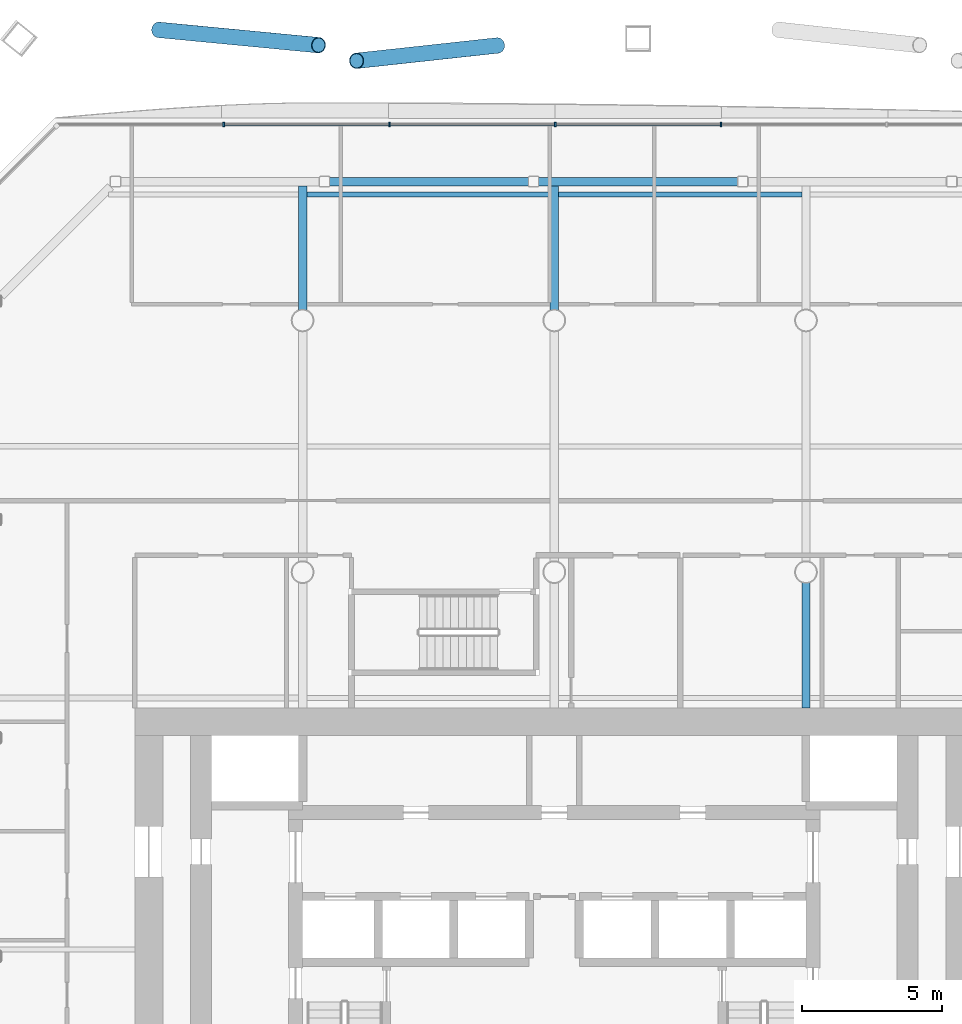
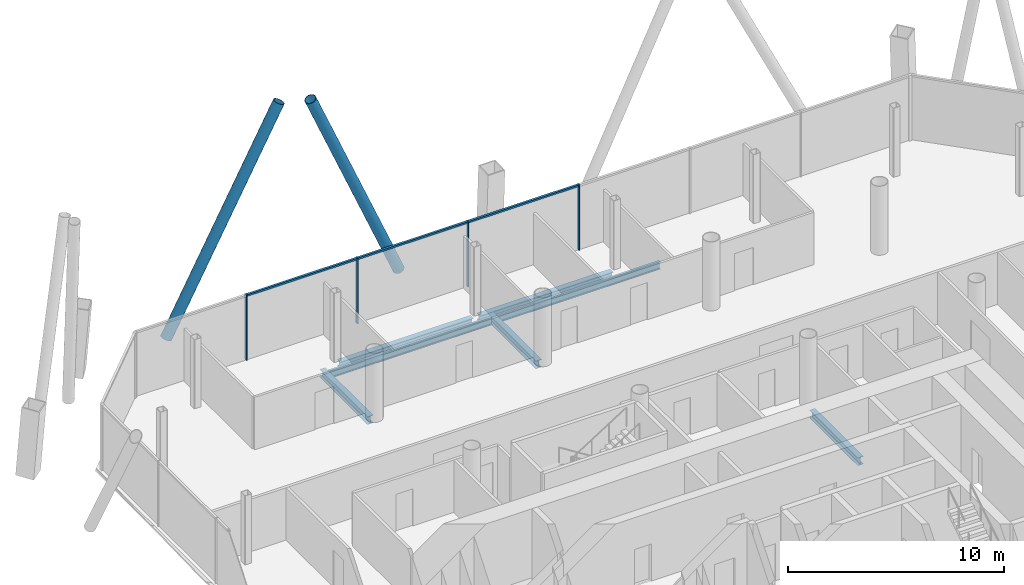
# One storey, part 10 of 22: 9 members, 7 beams, 1 element without a shape of its own.
"""IFC4 building model written with IfcOpenShell, lengths in metres."""

import ifcopenshell
import ifcopenshell.guid

model = None  # the IFC model being written
_history = None  # IfcOwnerHistory: only IFC2X3 demands one
_inside = {}  # id of a spatial element -> (the spatial element, [elements in it])
_under = {}  # id of a project, library or spatial element -> (it, [spatial elements below it])
_declared = {}  # id of a project -> (the project, [libraries it declares])
_typed = {}  # id of a type object -> (the type object, [elements of that type])
_made_of = {}  # id of a material, layer set ... -> (it, [elements and type objects made of it])


def new_model(schema):
    """Start an empty IFC model of exactly this schema.

    Asked for "IFC4X3", IfcOpenShell would pick the latest addendum, in which some entities
    have other attributes; the version numbers below select the first issue.
    IFC2X3 requires an IfcOwnerHistory on every rooted entity: one is made here for all.
    """
    global model, _history
    if schema == "IFC4X3":
        model = ifcopenshell.file(schema_version=(4, 3, 0, 0))
    else:
        model = ifcopenshell.file(schema=schema)
    _inside.clear()
    _under.clear()
    _declared.clear()
    _typed.clear()
    _made_of.clear()
    _history = None
    if model.schema == "IFC2X3":
        org = make("IfcOrganization", Name="unknown")
        user = make(
            "IfcPersonAndOrganization",
            ThePerson=make("IfcPerson", FamilyName="unknown"),
            TheOrganization=org,
        )
        app = make(
            "IfcApplication",
            ApplicationDeveloper=org,
            Version="unknown",
            ApplicationFullName="unknown",
            ApplicationIdentifier="unknown",
        )
        _history = make(
            "IfcOwnerHistory",
            OwningUser=user,
            OwningApplication=app,
            ChangeAction="ADDED",
            CreationDate=0,
        )
    return model


def make(cls, **values):
    """One entity of the class cls with the attributes given. An attribute that is None is left unset."""
    return model.create_entity(
        cls, **{name: value for name, value in values.items() if value is not None}
    )


def rooted(cls, **values):
    """An entity with a GlobalId (a new one), such as an element, a storey or a relation."""
    return make(cls, GlobalId=ifcopenshell.guid.new(), OwnerHistory=_history, **values)


def si_unit(unit_type, name, prefix=None):
    """IfcSIUnit, for example si_unit("LENGTHUNIT", "METRE", prefix="MILLI")."""
    return make("IfcSIUnit", UnitType=unit_type, Prefix=prefix, Name=name)


def assignment(units):
    """IfcUnitAssignment: the units of a project."""
    return None if units is None else make("IfcUnitAssignment", Units=units)


def point(xyz):
    """IfcCartesianPoint."""
    return None if xyz is None else make("IfcCartesianPoint", Coordinates=xyz)


def direction(xyz):
    """IfcDirection."""
    return None if xyz is None else make("IfcDirection", DirectionRatios=xyz)


def frame(location, z_axis=None, x_axis=None):
    """IfcAxis2Placement3D, a coordinate frame: its origin and axes. An axis left out is left unset."""
    return make(
        "IfcAxis2Placement3D",
        Location=point(location),
        Axis=direction(z_axis),
        RefDirection=direction(x_axis),
    )


def frame_2d(location, x_axis=None):
    """IfcAxis2Placement2D, a coordinate frame in the plane: its origin and x axis."""
    return make(
        "IfcAxis2Placement2D", Location=point(location), RefDirection=direction(x_axis)
    )


def origin():
    """The frame at (0, 0, 0) with its axes left unset."""
    return frame((0.0, 0.0, 0.0))


def origin_2d():
    """The frame at (0, 0) in the plane with its x axis left unset."""
    return frame_2d((0.0, 0.0))


def place(relative_to, where):
    """IfcLocalPlacement: puts the frame where relative to a parent placement (None: the world)."""
    return make(
        "IfcLocalPlacement", PlacementRelTo=relative_to, RelativePlacement=where
    )


def context(
    kind, dimensions, precision=None, world=None, true_north=None, identifier=None
):
    """IfcGeometricRepresentationContext, for example the 3D "Model" context."""
    return make(
        "IfcGeometricRepresentationContext",
        ContextIdentifier=identifier,
        ContextType=kind,
        CoordinateSpaceDimension=dimensions,
        Precision=precision,
        WorldCoordinateSystem=world,
        TrueNorth=true_north,
    )


def subcontext(parent, identifier, kind, view, scale=None):
    """IfcGeometricRepresentationSubContext, for example "Body" below "Model"."""
    return make(
        "IfcGeometricRepresentationSubContext",
        ContextIdentifier=identifier,
        ContextType=kind,
        ParentContext=parent,
        TargetScale=scale,
        TargetView=view,
    )


def project(units=None, contexts=None):
    """IfcProject with its units and contexts."""
    return rooted(
        "IfcProject",
        Name="project",
        RepresentationContexts=contexts,
        UnitsInContext=assignment(units),
    )


def spatial(cls, under=None, at=None, **own):
    """A site, building, storey or space (cls), placed at a placement, below another one or the project."""
    s = rooted(cls, ObjectPlacement=at, **own)
    if under is not None:
        _under.setdefault(under.id(), (under, []))[1].append(s)
    return s


def profile(cls, at=None, kind="AREA", **sizes):
    """A parametric profile (cls). Its sizes go by their IFC names, for example OverallWidth=200.0."""
    return make(cls, ProfileType=kind, Position=at, **sizes)


def rectangle(**sizes):
    """IfcRectangleProfileDef."""
    return profile("IfcRectangleProfileDef", **sizes)


def hollow_circle(**sizes):
    """IfcCircleHollowProfileDef."""
    return profile("IfcCircleHollowProfileDef", **sizes)


def i_section(**sizes):
    """IfcIShapeProfileDef."""
    return profile("IfcIShapeProfileDef", **sizes)


def extrude(swept, where, along, depth):
    """IfcExtrudedAreaSolid: the profile swept, set in the frame where, extruded along a direction by depth."""
    return make(
        "IfcExtrudedAreaSolid",
        SweptArea=swept,
        Position=where,
        ExtrudedDirection=direction(along),
        Depth=depth,
    )


def shape(context_of_items, identifier, shape_type, items):
    """IfcShapeRepresentation: the items that make up one representation, for example the "Body"."""
    return make(
        "IfcShapeRepresentation",
        ContextOfItems=context_of_items,
        RepresentationIdentifier=identifier,
        RepresentationType=shape_type,
        Items=items,
    )


def material(Name=None, Category=None):
    """IfcMaterial."""
    return make("IfcMaterial", Name=Name, Category=Category)


def material_profile(
    of_material, cross_section, Name=None, Category=None, Priority=None
):
    """IfcMaterialProfile: a cross section and its material."""
    return make(
        "IfcMaterialProfile",
        Name=Name,
        Material=of_material,
        Profile=cross_section,
        Priority=Priority,
        Category=Category,
    )


def profile_set(profiles, Name=None, composite=None):
    """IfcMaterialProfileSet."""
    return make(
        "IfcMaterialProfileSet",
        Name=Name,
        MaterialProfiles=profiles,
        CompositeProfile=composite,
    )


def made_of(thing, what):
    """Note that an element or type object is made of a material, layer set ...; save() writes the relation."""
    if what is not None:
        _made_of.setdefault(what.id(), (what, []))[1].append(thing)
    return thing


def type_object(cls, material=None, **own):
    """A type object (cls), such as IfcWallType, which elements share."""
    return made_of(rooted(cls, **own), material)


def element(
    cls,
    number,
    at=None,
    inside=None,
    cuts=None,
    type_object=None,
    material=None,
    context=None,
    identifier="Body",
    shape_type=None,
    held_by="IfcProductDefinitionShape",
    body=None,
    shapes=None,
    **own,
):
    """One element of the class cls, such as IfcWall. Its Tag is "e" and its number.

    at: its placement. inside: the storey or other place that contains it. cuts: it is an
    opening in that element (IfcRelVoidsElement). A single representation is given by context,
    identifier, shape_type and body (its items); several are given by shapes. held_by: the class
    of the entity that holds the representations. save() writes the other relations.
    """
    e = rooted(cls, Tag="e%d" % number, ObjectPlacement=at, **own)
    if body is not None:
        shapes = [shape(context, identifier, shape_type, body)]
    if shapes is not None:
        e.Representation = make(held_by, Representations=shapes)
    if inside is not None:
        _inside.setdefault(inside.id(), (inside, []))[1].append(e)
    if cuts is not None:
        rooted(
            "IfcRelVoidsElement", RelatingBuildingElement=cuts, RelatedOpeningElement=e
        )
    if type_object is not None:
        _typed.setdefault(type_object.id(), (type_object, []))[1].append(e)
    return made_of(e, material)


def aggregate(whole, parts):
    """IfcRelAggregates: a whole, such as a stair, and the parts it consists of."""
    return rooted("IfcRelAggregates", RelatingObject=whole, RelatedObjects=parts)


def save(model, path):
    """Write the relations noted so far, then the file.

    IfcRelAggregates (storeys below a building ...), IfcRelContainedInSpatialStructure (elements
    in a storey), IfcRelDefinesByType, IfcRelAssociatesMaterial and IfcRelDeclares: one each for
    every whole, place, type object, material and project.
    """
    for whole, parts in _under.values():
        aggregate(whole, parts)
    for where, things in _inside.values():
        rooted(
            "IfcRelContainedInSpatialStructure",
            RelatedElements=things,
            RelatingStructure=where,
        )
    for kind, things in _typed.values():
        rooted("IfcRelDefinesByType", RelatedObjects=things, RelatingType=kind)
    for what, things in _made_of.values():
        rooted("IfcRelAssociatesMaterial", RelatedObjects=things, RelatingMaterial=what)
    for by, libraries in _declared.values():
        rooted("IfcRelDeclares", RelatingContext=by, RelatedDefinitions=libraries)
    model.write(path)


model = new_model("IFC4")

# Units and contexts
model_context = context("Model", 3, precision=1e-05, world=origin(), true_north=direction((0.0, 1.0)))
body_context = subcontext(model_context, "Body", "Model", "MODEL_VIEW")
ifc_project = project(units=[si_unit("LENGTHUNIT", "METRE"), si_unit("AREAUNIT", "SQUARE_METRE"), si_unit("VOLUMEUNIT", "CUBIC_METRE"), si_unit("PLANEANGLEUNIT", "RADIAN"), si_unit("MASSUNIT", "GRAM", prefix="KILO")], contexts=[model_context])

# Site, building, storey
site_placement = place(None, origin())
site = spatial("IfcSite", under=ifc_project, at=site_placement, CompositionType="ELEMENT")
building_placement = place(site_placement, origin())
building = spatial("IfcBuilding", under=site, at=building_placement, Name="Tskaro Facet Tower", CompositionType="ELEMENT")
storey_placement = place(building_placement, frame((0.0, 0.0, 73.800048828125)))
storey = spatial("IfcBuildingStorey", under=building, at=storey_placement, Name="L17", CompositionType="ELEMENT", Elevation=73.800048828125)

# Members
ifc_material_1 = material(Name="Steel S355J2H", Category="steel")
ifc_material_profile_1 = material_profile(ifc_material_1, hollow_circle(Radius=0.279541015625, WallThickness=0.02490234375, at=origin_2d()), Name="CHS 559x25")
ifc_profile_set_1 = profile_set([ifc_material_profile_1], Name="Steel S355J2H")
member_type_1 = type_object("IfcMemberType", Name="CHS 559x25 brace", PredefinedType="BRACE", material=ifc_profile_set_1)
member_1_placement = place(storey_placement, frame((-2.03515625, 27.83154296875, 0.0), z_axis=(-0.394955202159, -0.042990275338, 0.917693971057), x_axis=(0.108209340681, -0.994128129865, 0.0)))
element("IfcMember", 1, at=member_1_placement, inside=storey, type_object=member_type_1, Name="CHS 559x25 XB08A/2", PredefinedType="BRACE", context=body_context, shape_type="SweptSolid", body=[
    extrude(hollow_circle(Radius=0.279541015625, WallThickness=0.02490234375, at=origin_2d()), origin(), (0.0, 0.0, 1.0), 12.749267578125),
])
member_2_placement = place(storey_placement, frame((-14.144287109375, 28.390380859375, 0.0), z_axis=(0.438504023281, -0.042037039826, 0.89774557022), x_axis=(0.095427175024, 0.995436413975, 0.0)))
element("IfcMember", 2, at=member_2_placement, inside=storey, type_object=member_type_1, Name="CHS 559x25 XB08B/2", PredefinedType="BRACE", context=body_context, shape_type="SweptSolid", body=[
    extrude(hollow_circle(Radius=0.279541015625, WallThickness=0.02490234375, at=origin_2d()), origin(), (0.0, 0.0, 1.0), 13.032470703125),
])

# Curtain wall, members
ifc_material_2 = material(Name="Bronze anodised aluminium 6063-T6", Category="aluminium")
curtain_wall_type = type_object("IfcCurtainWallType", Name="Bronze office curtain wall (FW1)", PredefinedType="NOTDEFINED", material=ifc_material_2)
curtain_wall_placement = place(storey_placement, origin())
curtain_wall = element("IfcCurtainWall", 3, at=curtain_wall_placement, inside=storey, type_object=curtain_wall_type, Name="FW1 north facet L17", PredefinedType="NOTDEFINED")
ifc_material_profile_2 = material_profile(ifc_material_2, rectangle(XDim=0.06005859375, YDim=0.159912109375, at=origin_2d()), Name="Mullion 60x160")
ifc_profile_set_2 = profile_set([ifc_material_profile_2], Name="Bronze anodised aluminium 6063-T6")
member_type_2 = type_object("IfcMemberType", Name="FW1 bronze mullion 60x160", PredefinedType="MULLION", material=ifc_profile_set_2)
member_3_placement = place(storey_placement, frame((5.96337890625, 25.010986328125, 0.0), z_axis=(0.0, 0.0, 1.0), x_axis=(-1.0, 0.0, 0.0)))
member_3 = element("IfcMember", 4, at=member_3_placement, type_object=member_type_2, Name="FW1 north mullion 3", PredefinedType="MULLION", context=body_context, shape_type="SweptSolid", body=[
    extrude(rectangle(XDim=0.06005859375, YDim=0.159912109375, at=origin_2d()), origin(), (0.0, 0.0, 1.0), 3.699951171875),
])
member_4_placement = place(storey_placement, frame((0.03662109375, 25.010986328125, 0.0), z_axis=(0.0, 0.0, 1.0), x_axis=(-1.0, 0.0, 0.0)))
member_4 = element("IfcMember", 5, at=member_4_placement, type_object=member_type_2, Name="FW1 north mullion 4", PredefinedType="MULLION", context=body_context, shape_type="SweptSolid", body=[
    extrude(rectangle(XDim=0.06005859375, YDim=0.159912109375, at=origin_2d()), origin(), (0.0, 0.0, 1.0), 3.699951171875),
])
member_5_placement = place(storey_placement, frame((-5.890380859375, 25.010986328125, 0.0), z_axis=(0.0, 0.0, 1.0), x_axis=(-1.0, 0.0, 0.0)))
member_5 = element("IfcMember", 6, at=member_5_placement, type_object=member_type_2, Name="FW1 north mullion 5", PredefinedType="MULLION", context=body_context, shape_type="SweptSolid", body=[
    extrude(rectangle(XDim=0.06005859375, YDim=0.159912109375, at=origin_2d()), origin(), (0.0, 0.0, 1.0), 3.699951171875),
])
member_6_placement = place(storey_placement, frame((-11.817138671875, 25.010986328125, 0.0), z_axis=(0.0, 0.0, 1.0), x_axis=(-1.0, 0.0, 0.0)))
member_6 = element("IfcMember", 7, at=member_6_placement, type_object=member_type_2, Name="FW1 north mullion 6", PredefinedType="MULLION", context=body_context, shape_type="SweptSolid", body=[
    extrude(rectangle(XDim=0.06005859375, YDim=0.159912109375, at=origin_2d()), origin(), (0.0, 0.0, 1.0), 3.699951171875),
])
ifc_material_profile_3 = material_profile(ifc_material_2, rectangle(XDim=0.1201171875, YDim=0.10009765625, at=origin_2d()), Name="Transom 120x100")
ifc_profile_set_3 = profile_set([ifc_material_profile_3], Name="Bronze anodised aluminium 6063-T6")
member_type_3 = type_object("IfcMemberType", Name="FW1 bronze transom 120x100", PredefinedType="USERDEFINED", material=ifc_profile_set_3)
member_7_placement = place(storey_placement, frame((5.933349609375, 25.010986328125, 3.64990234375), z_axis=(-1.0, 0.0, 0.0), x_axis=(0.0, -1.0, 0.0)))
member_7 = element("IfcMember", 8, at=member_7_placement, type_object=member_type_3, Name="FW1 north transom 4.1", ObjectType="TRANSOM", PredefinedType="USERDEFINED", context=body_context, shape_type="SweptSolid", body=[
    extrude(rectangle(XDim=0.1201171875, YDim=0.10009765625, at=origin_2d()), origin(), (0.0, 0.0, 1.0), 5.86669921875),
])
member_8_placement = place(storey_placement, frame((0.006591796875, 25.010986328125, 3.64990234375), z_axis=(-1.0, 0.0, 0.0), x_axis=(0.0, -1.0, 0.0)))
member_8 = element("IfcMember", 9, at=member_8_placement, type_object=member_type_3, Name="FW1 north transom 5.1", ObjectType="TRANSOM", PredefinedType="USERDEFINED", context=body_context, shape_type="SweptSolid", body=[
    extrude(rectangle(XDim=0.1201171875, YDim=0.10009765625, at=origin_2d()), origin(), (0.0, 0.0, 1.0), 5.866943359375),
])
member_9_placement = place(storey_placement, frame((-5.920166015625, 25.010986328125, 3.64990234375), z_axis=(-1.0, 0.0, 0.0), x_axis=(0.0, -1.0, 0.0)))
member_9 = element("IfcMember", 10, at=member_9_placement, type_object=member_type_3, Name="FW1 north transom 6.1", ObjectType="TRANSOM", PredefinedType="USERDEFINED", context=body_context, shape_type="SweptSolid", body=[
    extrude(rectangle(XDim=0.1201171875, YDim=0.10009765625, at=origin_2d()), origin(), (0.0, 0.0, 1.0), 5.866943359375),
])
aggregate(curtain_wall, [member_3, member_4, member_5, member_6, member_7, member_8, member_9])

# Beams
ifc_material_3 = material(Name="Steel S355J2", Category="steel")
ifc_material_profile_4 = material_profile(ifc_material_3, i_section(OverallWidth=0.300048828125, OverallDepth=0.360107421875, WebThickness=0.012451171875, FlangeThickness=0.0224609375, FilletRadius=0.027099609375, at=origin_2d()), Name="HE 360 B")
ifc_profile_set_4 = profile_set([ifc_material_profile_4], Name="Steel S355J2")
beam_type_1 = type_object("IfcBeamType", Name="HE 360 B ring beam", PredefinedType="BEAM", material=ifc_profile_set_4)
beam_1_placement = place(storey_placement, frame((6.55810546875, 22.965087890625, -0.320068359375), z_axis=(-1.0, 0.0, 0.0), x_axis=(0.0, -1.0, 0.0)))
element("IfcBeam", 11, at=beam_1_placement, inside=storey, type_object=beam_type_1, Name="HE 360 B EB15-2", PredefinedType="BEAM", context=body_context, shape_type="SweptSolid", body=[
    extrude(i_section(OverallWidth=0.300048828125, OverallDepth=0.360107421875, WebThickness=0.012451171875, FlangeThickness=0.0224609375, FilletRadius=0.027099609375, at=origin_2d()), origin(), (0.0, 0.0, 1.0), 7.1162109375),
])
beam_2_placement = place(storey_placement, frame((-0.91796875, 22.965087890625, -0.320068359375), z_axis=(-1.0, 0.0, 0.0), x_axis=(0.0, -1.0, 0.0)))
element("IfcBeam", 12, at=beam_2_placement, inside=storey, type_object=beam_type_1, Name="HE 360 B EB16-2", PredefinedType="BEAM", context=body_context, shape_type="SweptSolid", body=[
    extrude(i_section(OverallWidth=0.300048828125, OverallDepth=0.360107421875, WebThickness=0.012451171875, FlangeThickness=0.0224609375, FilletRadius=0.027099609375, at=origin_2d()), origin(), (0.0, 0.0, 1.0), 7.115966796875),
])
ifc_material_profile_5 = material_profile(ifc_material_3, i_section(OverallWidth=0.300048828125, OverallDepth=0.43994140625, WebThickness=0.011474609375, FlangeThickness=0.02099609375, FilletRadius=0.027099609375, at=origin_2d()), Name="HE 450 A")
ifc_profile_set_5 = profile_set([ifc_material_profile_5], Name="Steel S355J2")
beam_type_2 = type_object("IfcBeamType", Name="HE 450 A girder", PredefinedType="BEAM", material=ifc_profile_set_5)
for number, where, z_axis, x_axis, name in (
    (13, (-9.0, 18.37646484375, -0.360107421875), (0.0, 1.0, 0.0), (-1.0, 0.0, 0.0), "HE 450 A GB3-5-2"),
    (14, (0.0, 18.37646484375, -0.360107421875), (0.0, 1.0, 0.0), (-1.0, 0.0, 0.0), "HE 450 A GB4-5-2"),
):
    element("IfcBeam", number, at=place(storey_placement, frame(where, z_axis=z_axis, x_axis=x_axis)), inside=storey, type_object=beam_type_2, Name=name, PredefinedType="BEAM", context=body_context, shape_type="SweptSolid", body=[
        extrude(i_section(OverallWidth=0.300048828125, OverallDepth=0.43994140625, WebThickness=0.011474609375, FlangeThickness=0.02099609375, FilletRadius=0.027099609375, at=origin_2d()), origin(), (0.0, 0.0, 1.0), 4.4384765625),
    ])
beam_3_placement = place(storey_placement, frame((9.0, 4.14990234375, -0.360107421875), z_axis=(0.0, 1.0, 0.0), x_axis=(-1.0, 0.0, 0.0)))
element("IfcBeam", 15, at=beam_3_placement, inside=storey, type_object=beam_type_2, Name="HE 450 A GB5-3-2", PredefinedType="BEAM", context=body_context, shape_type="SweptSolid", body=[
    extrude(i_section(OverallWidth=0.300048828125, OverallDepth=0.43994140625, WebThickness=0.011474609375, FlangeThickness=0.02099609375, FilletRadius=0.027099609375, at=origin_2d()), origin(), (0.0, 0.0, 1.0), 4.4736328125),
])
ifc_material_profile_6 = material_profile(ifc_material_3, i_section(OverallWidth=0.179931640625, OverallDepth=0.39990234375, WebThickness=0.008544921875, FlangeThickness=0.013427734375, FilletRadius=0.02099609375, at=origin_2d()), Name="IPE 400")
ifc_profile_set_6 = profile_set([ifc_material_profile_6], Name="Steel S355J2")
beam_type_3 = type_object("IfcBeamType", Name="IPE 400 secondary beam", PredefinedType="BEAM", material=ifc_profile_set_6)
for number, where, z_axis, x_axis, name in (
    (16, (-8.85009765625, 22.5, -0.340087890625), (1.0, 0.0, 0.0), (0.0, 1.0, 0.0), "IPE 400 SB6a-2-2"),
    (17, (0.14990234375, 22.5, -0.340087890625), (1.0, 0.0, 0.0), (0.0, 1.0, 0.0), "IPE 400 SB6a-3-2"),
):
    element("IfcBeam", number, at=place(storey_placement, frame(where, z_axis=z_axis, x_axis=x_axis)), inside=storey, type_object=beam_type_3, Name=name, PredefinedType="BEAM", context=body_context, shape_type="SweptSolid", body=[
        extrude(i_section(OverallWidth=0.179931640625, OverallDepth=0.39990234375, WebThickness=0.008544921875, FlangeThickness=0.013427734375, FilletRadius=0.02099609375, at=origin_2d()), origin(), (0.0, 0.0, 1.0), 8.7001953125),
    ])

save(model, "model.ifc")
